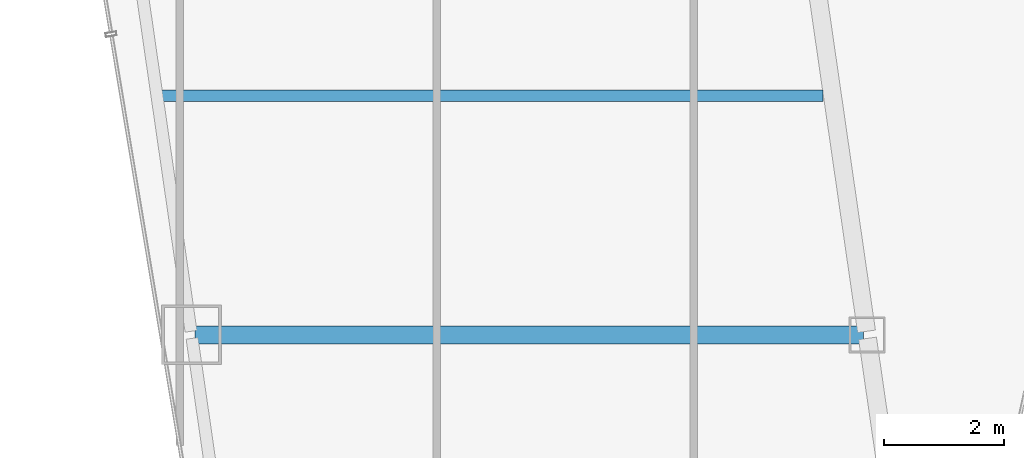
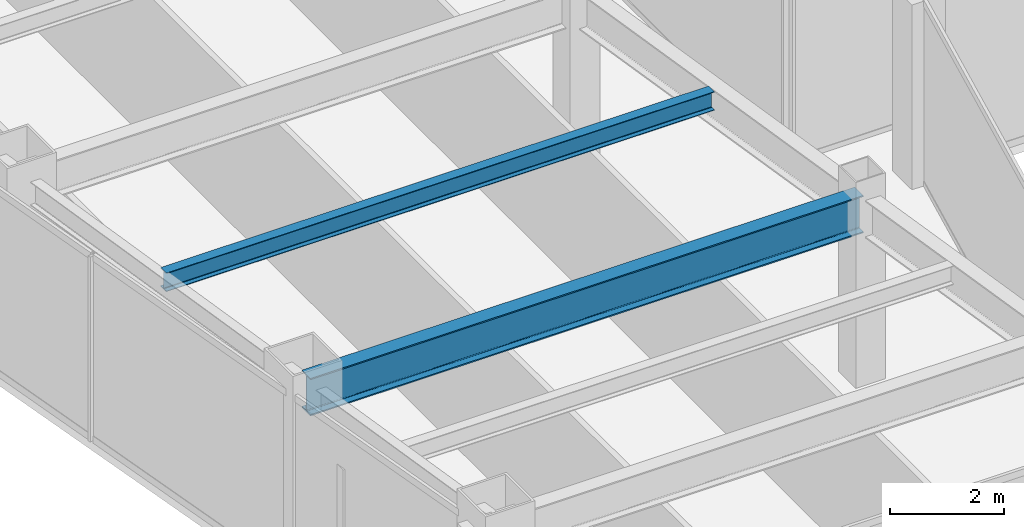
# One storey, part 4 of 36: 2 beams.
"""IFC4 building model written with IfcOpenShell, lengths in metres."""

from ifc_helpers import new_model, si_unit, direction, frame, origin, origin_2d, place, context, subcontext, project, spatial, i_section, extrude, material, material_profile, profile_set, type_object, element, save


model = new_model("IFC4")

# Units and contexts
model_context = context("Model", 3, precision=1e-05, world=origin(), true_north=direction((0.0, 1.0)))
body_context = subcontext(model_context, "Body", "Model", "MODEL_VIEW")
ifc_project = project(units=[si_unit("LENGTHUNIT", "METRE"), si_unit("AREAUNIT", "SQUARE_METRE"), si_unit("VOLUMEUNIT", "CUBIC_METRE"), si_unit("PLANEANGLEUNIT", "RADIAN"), si_unit("MASSUNIT", "GRAM", prefix="KILO")], contexts=[model_context])

# Site, building, storey
site_placement = place(None, origin())
site = spatial("IfcSite", under=ifc_project, at=site_placement, CompositionType="ELEMENT")
building_placement = place(site_placement, origin())
building = spatial("IfcBuilding", under=site, at=building_placement, Name="Saevonmaru Cultural Tower", CompositionType="ELEMENT")
storey_placement = place(building_placement, frame((0.0, 0.0, 119.199951171875)))
storey = spatial("IfcBuildingStorey", under=building, at=storey_placement, Name="L25", CompositionType="ELEMENT", Elevation=119.199951171875)

# Beams
ifc_material_1 = material(Name="Steel SM420", Category="steel")
ifc_material_profile_1 = material_profile(ifc_material_1, i_section(OverallWidth=0.300048828125, OverallDepth=0.800048828125, WebThickness=0.013916015625, FlangeThickness=0.02587890625, FilletRadius=0.028076171875, at=origin_2d()), Name="H-800x300x14x26")
ifc_profile_set_1 = profile_set([ifc_material_profile_1], Name="Steel SM420")
beam_type_1 = type_object("IfcBeamType", Name="BM-G-H800", PredefinedType="BEAM", material=ifc_profile_set_1)
beam_1_placement = place(storey_placement, frame((10.68798828125, 16.0, 3.550048828125), z_axis=(1.0, 0.0, 0.0), x_axis=(0.0, 1.0, 0.0)))
element("IfcBeam", 1, at=beam_1_placement, inside=storey, type_object=beam_type_1, Name="L25 West Wing Transverse Girder 2", PredefinedType="BEAM", context=body_context, shape_type="SweptSolid", body=[
    extrude(i_section(OverallWidth=0.300048828125, OverallDepth=0.800048828125, WebThickness=0.013916015625, FlangeThickness=0.02587890625, FilletRadius=0.028076171875, at=origin_2d()), origin(), (0.0, 0.0, 1.0), 11.179931640625),
])
ifc_material_2 = material(Name="Steel SM355", Category="steel")
ifc_material_profile_2 = material_profile(ifc_material_2, i_section(OverallWidth=0.199951171875, OverallDepth=0.39990234375, WebThickness=0.008056640625, FlangeThickness=0.012939453125, FilletRadius=0.01611328125, at=origin_2d()), Name="H-400x200x8x13")
ifc_profile_set_2 = profile_set([ifc_material_profile_2], Name="Steel SM355")
beam_type_2 = type_object("IfcBeamType", Name="BM-J-H400", PredefinedType="JOIST", material=ifc_profile_set_2)
beam_2_placement = place(storey_placement, frame((10.110107421875, 20.0, 3.75), z_axis=(1.0, 0.0, 0.0), x_axis=(0.0, 1.0, 0.0)))
element("IfcBeam", 2, at=beam_2_placement, inside=storey, type_object=beam_type_2, Name="L25 West Wing Floor Joist 2", PredefinedType="JOIST", context=body_context, shape_type="SweptSolid", body=[
    extrude(i_section(OverallWidth=0.199951171875, OverallDepth=0.39990234375, WebThickness=0.008056640625, FlangeThickness=0.012939453125, FilletRadius=0.01611328125, at=origin_2d()), origin(), (0.0, 0.0, 1.0), 11.081787109375),
])

save(model, "model.ifc")
